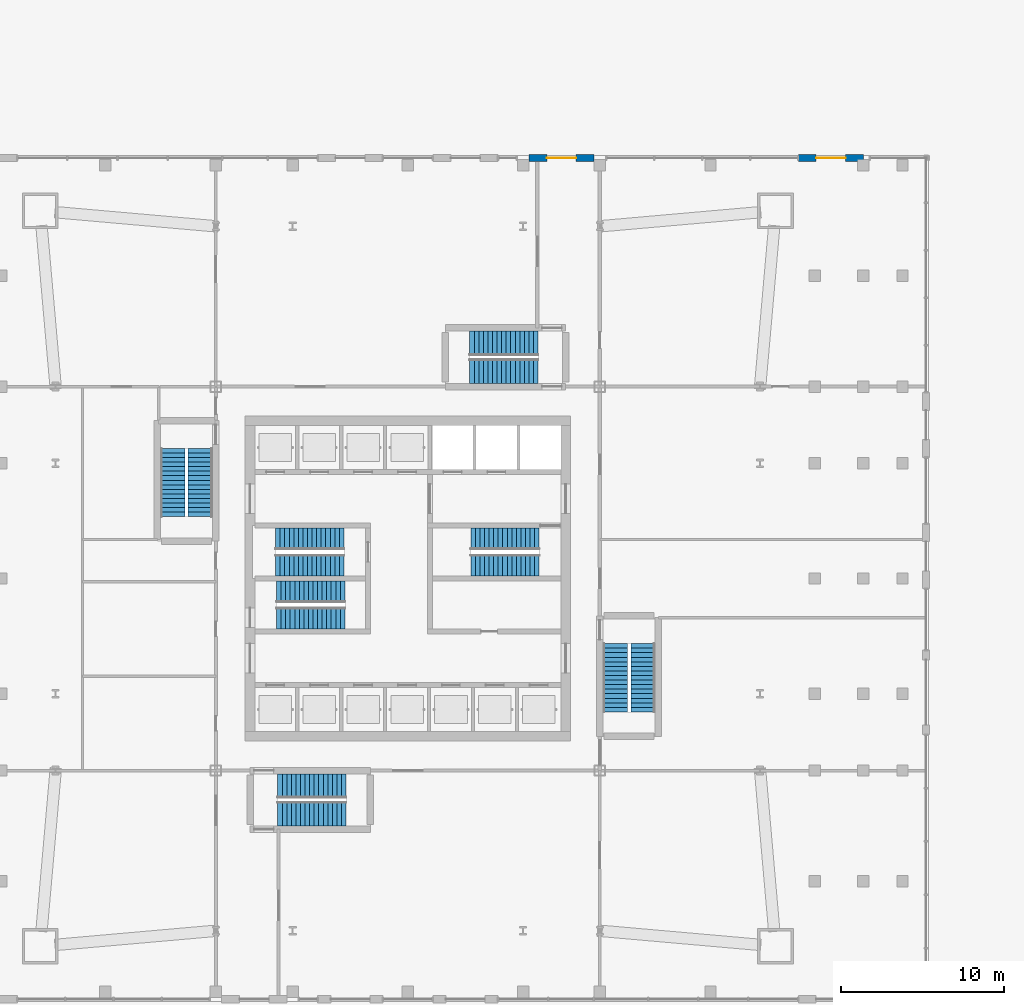
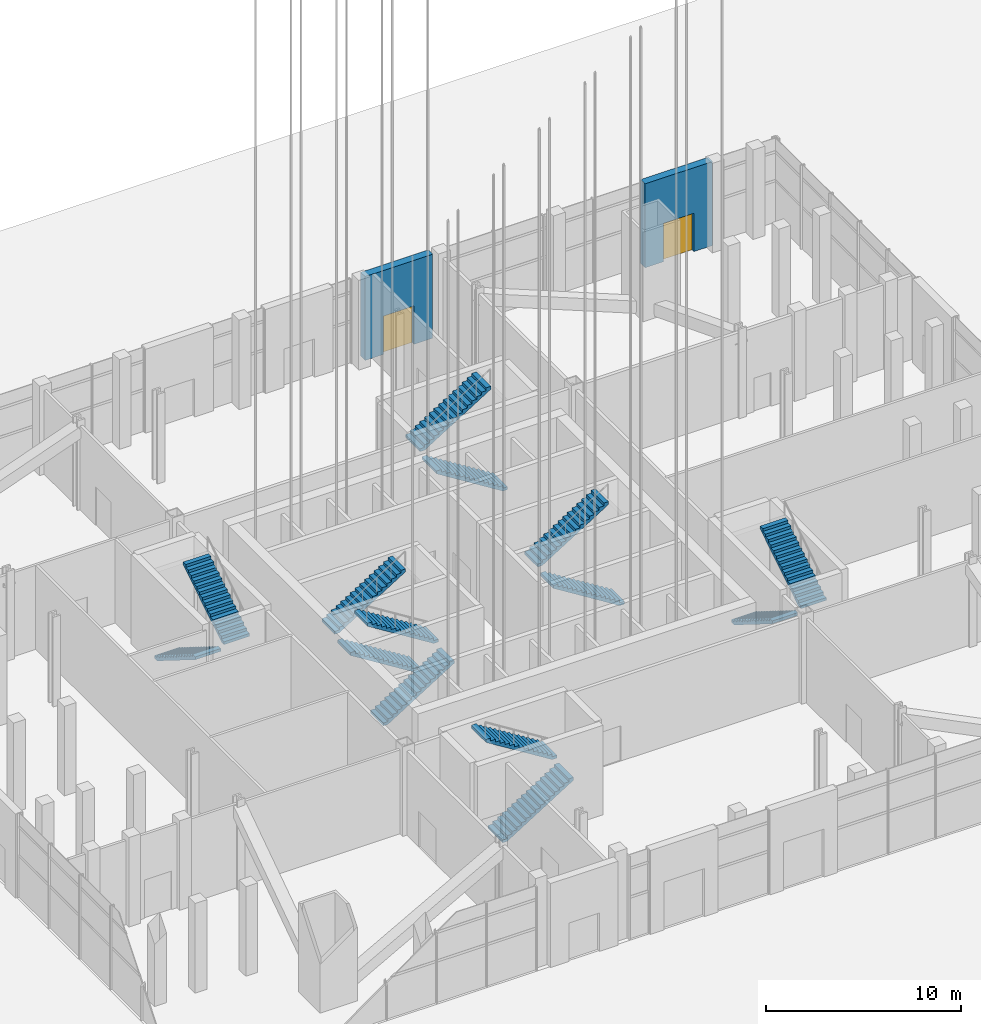
# One storey, part 15 of 27: 14 stair flights, 2 doors, 2 walls, 2 openings, 7 elements without a shape of their own.
"""IFC4 building model written with IfcOpenShell, lengths in metres."""

import ifcopenshell
import ifcopenshell.guid

model = None  # the IFC model being written
_history = None  # IfcOwnerHistory: only IFC2X3 demands one
_inside = {}  # id of a spatial element -> (the spatial element, [elements in it])
_under = {}  # id of a project, library or spatial element -> (it, [spatial elements below it])
_declared = {}  # id of a project -> (the project, [libraries it declares])
_typed = {}  # id of a type object -> (the type object, [elements of that type])
_made_of = {}  # id of a material, layer set ... -> (it, [elements and type objects made of it])


def new_model(schema):
    """Start an empty IFC model of exactly this schema.

    Asked for "IFC4X3", IfcOpenShell would pick the latest addendum, in which some entities
    have other attributes; the version numbers below select the first issue.
    IFC2X3 requires an IfcOwnerHistory on every rooted entity: one is made here for all.
    """
    global model, _history
    if schema == "IFC4X3":
        model = ifcopenshell.file(schema_version=(4, 3, 0, 0))
    else:
        model = ifcopenshell.file(schema=schema)
    _inside.clear()
    _under.clear()
    _declared.clear()
    _typed.clear()
    _made_of.clear()
    _history = None
    if model.schema == "IFC2X3":
        org = make("IfcOrganization", Name="unknown")
        user = make(
            "IfcPersonAndOrganization",
            ThePerson=make("IfcPerson", FamilyName="unknown"),
            TheOrganization=org,
        )
        app = make(
            "IfcApplication",
            ApplicationDeveloper=org,
            Version="unknown",
            ApplicationFullName="unknown",
            ApplicationIdentifier="unknown",
        )
        _history = make(
            "IfcOwnerHistory",
            OwningUser=user,
            OwningApplication=app,
            ChangeAction="ADDED",
            CreationDate=0,
        )
    return model


def make(cls, **values):
    """One entity of the class cls with the attributes given. An attribute that is None is left unset."""
    return model.create_entity(
        cls, **{name: value for name, value in values.items() if value is not None}
    )


def rooted(cls, **values):
    """An entity with a GlobalId (a new one), such as an element, a storey or a relation."""
    return make(cls, GlobalId=ifcopenshell.guid.new(), OwnerHistory=_history, **values)


def si_unit(unit_type, name, prefix=None):
    """IfcSIUnit, for example si_unit("LENGTHUNIT", "METRE", prefix="MILLI")."""
    return make("IfcSIUnit", UnitType=unit_type, Prefix=prefix, Name=name)


def assignment(units):
    """IfcUnitAssignment: the units of a project."""
    return None if units is None else make("IfcUnitAssignment", Units=units)


def point(xyz):
    """IfcCartesianPoint."""
    return None if xyz is None else make("IfcCartesianPoint", Coordinates=xyz)


def direction(xyz):
    """IfcDirection."""
    return None if xyz is None else make("IfcDirection", DirectionRatios=xyz)


def frame(location, z_axis=None, x_axis=None):
    """IfcAxis2Placement3D, a coordinate frame: its origin and axes. An axis left out is left unset."""
    return make(
        "IfcAxis2Placement3D",
        Location=point(location),
        Axis=direction(z_axis),
        RefDirection=direction(x_axis),
    )


def frame_2d(location, x_axis=None):
    """IfcAxis2Placement2D, a coordinate frame in the plane: its origin and x axis."""
    return make(
        "IfcAxis2Placement2D", Location=point(location), RefDirection=direction(x_axis)
    )


def origin():
    """The frame at (0, 0, 0) with its axes left unset."""
    return frame((0.0, 0.0, 0.0))


def place(relative_to, where):
    """IfcLocalPlacement: puts the frame where relative to a parent placement (None: the world)."""
    return make(
        "IfcLocalPlacement", PlacementRelTo=relative_to, RelativePlacement=where
    )


def context(
    kind, dimensions, precision=None, world=None, true_north=None, identifier=None
):
    """IfcGeometricRepresentationContext, for example the 3D "Model" context."""
    return make(
        "IfcGeometricRepresentationContext",
        ContextIdentifier=identifier,
        ContextType=kind,
        CoordinateSpaceDimension=dimensions,
        Precision=precision,
        WorldCoordinateSystem=world,
        TrueNorth=true_north,
    )


def subcontext(parent, identifier, kind, view, scale=None):
    """IfcGeometricRepresentationSubContext, for example "Body" below "Model"."""
    return make(
        "IfcGeometricRepresentationSubContext",
        ContextIdentifier=identifier,
        ContextType=kind,
        ParentContext=parent,
        TargetScale=scale,
        TargetView=view,
    )


def project(units=None, contexts=None):
    """IfcProject with its units and contexts."""
    return rooted(
        "IfcProject",
        Name="project",
        RepresentationContexts=contexts,
        UnitsInContext=assignment(units),
    )


def spatial(cls, under=None, at=None, **own):
    """A site, building, storey or space (cls), placed at a placement, below another one or the project."""
    s = rooted(cls, ObjectPlacement=at, **own)
    if under is not None:
        _under.setdefault(under.id(), (under, []))[1].append(s)
    return s


def polyline(points):
    """IfcPolyline through the points."""
    return make("IfcPolyline", Points=[point(p) for p in points])


def profile(cls, at=None, kind="AREA", **sizes):
    """A parametric profile (cls). Its sizes go by their IFC names, for example OverallWidth=200.0."""
    return make(cls, ProfileType=kind, Position=at, **sizes)


def rectangle(**sizes):
    """IfcRectangleProfileDef."""
    return profile("IfcRectangleProfileDef", **sizes)


def outline(outer, holes=None, kind="AREA"):
    """IfcArbitraryClosedProfileDef: a profile drawn as a closed curve; with holes, ...WithVoids."""
    if holes is None:
        return make("IfcArbitraryClosedProfileDef", ProfileType=kind, OuterCurve=outer)
    return make(
        "IfcArbitraryProfileDefWithVoids",
        ProfileType=kind,
        OuterCurve=outer,
        InnerCurves=holes,
    )


def extrude(swept, where, along, depth):
    """IfcExtrudedAreaSolid: the profile swept, set in the frame where, extruded along a direction by depth."""
    return make(
        "IfcExtrudedAreaSolid",
        SweptArea=swept,
        Position=where,
        ExtrudedDirection=direction(along),
        Depth=depth,
    )


def shape(context_of_items, identifier, shape_type, items):
    """IfcShapeRepresentation: the items that make up one representation, for example the "Body"."""
    return make(
        "IfcShapeRepresentation",
        ContextOfItems=context_of_items,
        RepresentationIdentifier=identifier,
        RepresentationType=shape_type,
        Items=items,
    )


def material(Name=None, Category=None):
    """IfcMaterial."""
    return make("IfcMaterial", Name=Name, Category=Category)


def layer(
    of_material, thickness, ventilated=None, Name=None, Category=None, Priority=None
):
    """IfcMaterialLayer: one layer of a wall or slab, of a material (None: an air gap)."""
    return make(
        "IfcMaterialLayer",
        Material=of_material,
        LayerThickness=thickness,
        IsVentilated=ventilated,
        Name=Name,
        Category=Category,
        Priority=Priority,
    )


def layer_set(layers, Name=None):
    """IfcMaterialLayerSet."""
    return make("IfcMaterialLayerSet", MaterialLayers=layers, LayerSetName=Name)


def made_of(thing, what):
    """Note that an element or type object is made of a material, layer set ...; save() writes the relation."""
    if what is not None:
        _made_of.setdefault(what.id(), (what, []))[1].append(thing)
    return thing


def type_object(cls, material=None, **own):
    """A type object (cls), such as IfcWallType, which elements share."""
    return made_of(rooted(cls, **own), material)


def element(
    cls,
    number,
    at=None,
    inside=None,
    cuts=None,
    type_object=None,
    material=None,
    context=None,
    identifier="Body",
    shape_type=None,
    held_by="IfcProductDefinitionShape",
    body=None,
    shapes=None,
    **own,
):
    """One element of the class cls, such as IfcWall. Its Tag is "e" and its number.

    at: its placement. inside: the storey or other place that contains it. cuts: it is an
    opening in that element (IfcRelVoidsElement). A single representation is given by context,
    identifier, shape_type and body (its items); several are given by shapes. held_by: the class
    of the entity that holds the representations. save() writes the other relations.
    """
    e = rooted(cls, Tag="e%d" % number, ObjectPlacement=at, **own)
    if body is not None:
        shapes = [shape(context, identifier, shape_type, body)]
    if shapes is not None:
        e.Representation = make(held_by, Representations=shapes)
    if inside is not None:
        _inside.setdefault(inside.id(), (inside, []))[1].append(e)
    if cuts is not None:
        rooted(
            "IfcRelVoidsElement", RelatingBuildingElement=cuts, RelatedOpeningElement=e
        )
    if type_object is not None:
        _typed.setdefault(type_object.id(), (type_object, []))[1].append(e)
    return made_of(e, material)


def fill(opening, filler):
    """IfcRelFillsElement: the door or window that sits in an opening."""
    return rooted(
        "IfcRelFillsElement",
        RelatingOpeningElement=opening,
        RelatedBuildingElement=filler,
    )


def aggregate(whole, parts):
    """IfcRelAggregates: a whole, such as a stair, and the parts it consists of."""
    return rooted("IfcRelAggregates", RelatingObject=whole, RelatedObjects=parts)


def save(model, path):
    """Write the relations noted so far, then the file.

    IfcRelAggregates (storeys below a building ...), IfcRelContainedInSpatialStructure (elements
    in a storey), IfcRelDefinesByType, IfcRelAssociatesMaterial and IfcRelDeclares: one each for
    every whole, place, type object, material and project.
    """
    for whole, parts in _under.values():
        aggregate(whole, parts)
    for where, things in _inside.values():
        rooted(
            "IfcRelContainedInSpatialStructure",
            RelatedElements=things,
            RelatingStructure=where,
        )
    for kind, things in _typed.values():
        rooted("IfcRelDefinesByType", RelatedObjects=things, RelatingType=kind)
    for what, things in _made_of.values():
        rooted("IfcRelAssociatesMaterial", RelatedObjects=things, RelatingMaterial=what)
    for by, libraries in _declared.values():
        rooted("IfcRelDeclares", RelatingContext=by, RelatedDefinitions=libraries)
    model.write(path)


model = new_model("IFC4")

# Units and contexts
model_context = context("Model", 3, precision=1e-05, world=origin(), true_north=direction((0.0, 1.0)))
body_context = subcontext(model_context, "Body", "Model", "MODEL_VIEW")
ifc_project = project(units=[si_unit("LENGTHUNIT", "METRE"), si_unit("AREAUNIT", "SQUARE_METRE"), si_unit("VOLUMEUNIT", "CUBIC_METRE"), si_unit("PLANEANGLEUNIT", "RADIAN"), si_unit("MASSUNIT", "GRAM", prefix="KILO")], contexts=[model_context])

# Site, building, storey
site_placement = place(None, origin())
site = spatial("IfcSite", under=ifc_project, at=site_placement, CompositionType="ELEMENT")
building_placement = place(site_placement, origin())
building = spatial("IfcBuilding", under=site, at=building_placement, Name="Turquesa Mirador Hotel Tower", CompositionType="ELEMENT")
storey_placement = place(building_placement, origin())
storey = spatial("IfcBuildingStorey", under=building, at=storey_placement, Name="L00", CompositionType="ELEMENT", Elevation=0.0)

# Wall, opening, door
ifc_material_1 = material(Name="Limestone cladding on concrete block", Category="masonry")
ifc_layer = layer(ifc_material_1, 0.449951171875)
ifc_layer_set = layer_set([ifc_layer], Name="PORTAL WALL 450 STONE")
wall_type = type_object("IfcWallType", Name="PORTAL WALL 450 STONE", PredefinedType="SOLIDWALL", material=ifc_layer_set)
wall_1_placement = place(storey_placement, frame((83.0, 70.85009765625, 0.0), z_axis=(0.0, 0.0, 1.0), x_axis=(-1.0, 0.0, 0.0)))
wall_1 = element("IfcWall", 1, at=wall_1_placement, inside=storey, type_object=wall_type, Name="Entrance portal L00", PredefinedType="SOLIDWALL", context=body_context, shape_type="SweptSolid", body=[
    extrude(rectangle(XDim=4.0, YDim=0.449951171875, at=frame_2d((2.0, 0.0))), origin(), (0.0, 0.0, 1.0), 5.25),
])
opening_1_placement = place(wall_1_placement, frame((1.10009765625, 0.0, 0.0)))
opening_1 = element("IfcOpeningElement", 2, at=opening_1_placement, cuts=wall_1, Name="Opening D13", PredefinedType="OPENING", context=body_context, shape_type="SweptSolid", body=[
    extrude(rectangle(XDim=1.800048828125, YDim=2.39990234375, at=frame_2d((0.89990234375, 1.199951171875))), frame((0.0, 0.23486328125, 0.0), z_axis=(0.0, -1.0, 0.0), x_axis=(1.0, 0.0, 0.0)), (0.0, 0.0, 1.0), 0.469970703125),
])
ifc_material_2 = material(Name="Steel external door pair", Category="steel")
door_type = type_object("IfcDoorType", Name="EXIT DOOR 1800X2400 PAIR", OperationType="DOUBLE_DOOR_SINGLE_SWING", PredefinedType="DOOR", material=ifc_material_2)
door_1_placement = place(opening_1_placement, origin())
door_1 = element("IfcDoor", 3, at=door_1_placement, inside=storey, type_object=door_type, Name="External door L00 N", OperationType="DOUBLE_DOOR_SINGLE_SWING", OverallHeight=2.39990234375, OverallWidth=1.800048828125, PredefinedType="DOOR", context=body_context, shape_type="SweptSolid", body=[
    extrude(rectangle(XDim=1.800048828125, YDim=2.39990234375, at=frame_2d((0.89990234375, 1.199951171875))), frame((0.0, 0.02490234375, 0.0), z_axis=(0.0, -1.0, 0.0), x_axis=(1.0, 0.0, 0.0)), (0.0, 0.0, 1.0), 0.050048828125),
])
fill(opening_1, door_1)

wall_2_placement = place(storey_placement, frame((62.43994140625, 70.85009765625, 0.0), z_axis=(0.0, 0.0, 1.0), x_axis=(1.0, 0.0, 0.0)))
wall_2 = element("IfcWall", 4, at=wall_2_placement, inside=storey, type_object=wall_type, Name="Entrance portal L00", PredefinedType="SOLIDWALL", context=body_context, shape_type="SweptSolid", body=[
    extrude(rectangle(XDim=4.0, YDim=0.449951171875, at=frame_2d((2.0, 0.0))), origin(), (0.0, 0.0, 1.0), 5.25),
])
opening_2_placement = place(wall_2_placement, frame((1.10009765625, 0.0, 0.0)))
opening_2 = element("IfcOpeningElement", 5, at=opening_2_placement, cuts=wall_2, Name="Opening D13", PredefinedType="OPENING", context=body_context, shape_type="SweptSolid", body=[
    extrude(rectangle(XDim=1.800048828125, YDim=2.39990234375, at=frame_2d((0.89990234375, 1.199951171875))), frame((0.0, 0.23486328125, 0.0), z_axis=(0.0, -1.0, 0.0), x_axis=(1.0, 0.0, 0.0)), (0.0, 0.0, 1.0), 0.469970703125),
])
door_2_placement = place(opening_2_placement, origin())
door_2 = element("IfcDoor", 6, at=door_2_placement, inside=storey, type_object=door_type, Name="External door L00 N", OperationType="DOUBLE_DOOR_SINGLE_SWING", OverallHeight=2.39990234375, OverallWidth=1.800048828125, PredefinedType="DOOR", context=body_context, shape_type="SweptSolid", body=[
    extrude(rectangle(XDim=1.800048828125, YDim=2.39990234375, at=frame_2d((0.89990234375, 1.199951171875))), frame((0.0, 0.02490234375, 0.0), z_axis=(0.0, -1.0, 0.0), x_axis=(1.0, 0.0, 0.0)), (0.0, 0.0, 1.0), 0.050048828125),
])
fill(opening_2, door_2)

# Stair, stair flights
ifc_material_3 = material(Name="Concrete C35/45", Category="concrete")
stair_type_1 = type_object("IfcStairType", Name="ESCAPE STAIR CORE", PredefinedType="HALF_TURN_STAIR", material=ifc_material_3)
stair_1_placement = place(storey_placement, origin())
stair_1 = element("IfcStair", 7, at=stair_1_placement, inside=storey, type_object=stair_type_1, Name="Stair ST1 L00 to L01", PredefinedType="HALF_TURN_STAIR")
ifc_material_4 = material(Name="Concrete C35/45 precast flight", Category="concrete")
stair_flight_type_1 = type_object("IfcStairFlightType", Name="STAIR FLIGHT 1330", PredefinedType="STRAIGHT", material=ifc_material_4)
stair_flight_1_placement = place(storey_placement, frame((51.070068359375, 45.81494140625, 0.0), z_axis=(0.0, 0.0, 1.0), x_axis=(-1.0, 0.0, 0.0)))
stair_flight_1 = element("IfcStairFlight", 8, at=stair_flight_1_placement, type_object=stair_flight_type_1, Name="ST1 flight 1", NumberOfRisers=16, NumberOfTreads=15, PredefinedType="STRAIGHT", RiserHeight=0.175, TreadLength=0.28, context=body_context, shape_type="SweptSolid", body=[
    extrude(outline(polyline([(0.0, 0.0), (0.0, 0.175048828125), (0.280029296875, 0.175048828125), (0.280029296875, 0.35009765625), (0.56005859375, 0.35009765625), (0.56005859375, 0.52490234375), (0.840087890625, 0.52490234375), (0.840087890625, 0.699951171875), (1.1201171875, 0.699951171875), (1.1201171875, 0.875), (1.39990234375, 0.875), (1.39990234375, 1.050048828125), (1.679931640625, 1.050048828125), (1.679931640625, 1.22509765625), (1.9599609375, 1.22509765625), (1.9599609375, 1.39990234375), (2.239990234375, 1.39990234375), (2.239990234375, 1.574951171875), (2.52001953125, 1.574951171875), (2.52001953125, 1.75), (2.800048828125, 1.75), (2.800048828125, 1.925048828125), (3.080078125, 1.925048828125), (3.080078125, 2.10009765625), (3.360107421875, 2.10009765625), (3.360107421875, 2.27490234375), (3.639892578125, 2.27490234375), (3.639892578125, 2.449951171875), (3.919921875, 2.449951171875), (3.919921875, 2.625), (4.199951171875, 2.625), (4.199951171875, 2.800048828125), (4.199951171875, 2.4482421875), (0.28271484375, 0.0), (0.0, 0.0)])), frame((0.0, 0.6650390625, 0.0), z_axis=(0.0, -1.0, 0.0), x_axis=(1.0, 0.0, 0.0)), (0.0, 0.0, 1.0), 1.330078125),
])
stair_flight_2_placement = place(storey_placement, frame((46.8701171875, 47.43505859375, 2.800048828125), z_axis=(0.0, 0.0, 1.0), x_axis=(1.0, 0.0, 0.0)))
stair_flight_2 = element("IfcStairFlight", 9, at=stair_flight_2_placement, type_object=stair_flight_type_1, Name="ST1 flight 2", NumberOfRisers=16, NumberOfTreads=15, PredefinedType="STRAIGHT", RiserHeight=0.175, TreadLength=0.28, context=body_context, shape_type="SweptSolid", body=[
    extrude(outline(polyline([(0.0, 0.0), (0.0, 0.175048828125), (0.280029296875, 0.175048828125), (0.280029296875, 0.35009765625), (0.56005859375, 0.35009765625), (0.56005859375, 0.52490234375), (0.840087890625, 0.52490234375), (0.840087890625, 0.699951171875), (1.1201171875, 0.699951171875), (1.1201171875, 0.875), (1.39990234375, 0.875), (1.39990234375, 1.050048828125), (1.679931640625, 1.050048828125), (1.679931640625, 1.22509765625), (1.9599609375, 1.22509765625), (1.9599609375, 1.39990234375), (2.239990234375, 1.39990234375), (2.239990234375, 1.574951171875), (2.52001953125, 1.574951171875), (2.52001953125, 1.75), (2.800048828125, 1.75), (2.800048828125, 1.925048828125), (3.080078125, 1.925048828125), (3.080078125, 2.10009765625), (3.360107421875, 2.10009765625), (3.360107421875, 2.27490234375), (3.639892578125, 2.27490234375), (3.639892578125, 2.449951171875), (3.919921875, 2.449951171875), (3.919921875, 2.625), (4.199951171875, 2.625), (4.199951171875, 2.800048828125), (4.199951171875, 2.4482421875), (0.28271484375, 0.0), (0.0, 0.0)])), frame((0.0, 0.6650390625, 0.0), z_axis=(0.0, -1.0, 0.0), x_axis=(1.0, 0.0, 0.0)), (0.0, 0.0, 1.0), 1.330078125),
])
aggregate(stair_1, [stair_flight_1, stair_flight_2])

stair_2_placement = place(storey_placement, origin())
stair_2 = element("IfcStair", 10, at=stair_2_placement, inside=storey, type_object=stair_type_1, Name="Stair ST2 L00 to L01", PredefinedType="HALF_TURN_STAIR")
stair_flight_3_placement = place(storey_placement, frame((46.929931640625, 42.56494140625, 0.0), z_axis=(0.0, 0.0, 1.0), x_axis=(1.0, 0.0, 0.0)))
stair_flight_3 = element("IfcStairFlight", 11, at=stair_flight_3_placement, type_object=stair_flight_type_1, Name="ST2 flight 1", NumberOfRisers=16, NumberOfTreads=15, PredefinedType="STRAIGHT", RiserHeight=0.175, TreadLength=0.28, context=body_context, shape_type="SweptSolid", body=[
    extrude(outline(polyline([(0.0, 0.0), (0.0, 0.175048828125), (0.280029296875, 0.175048828125), (0.280029296875, 0.35009765625), (0.56005859375, 0.35009765625), (0.56005859375, 0.52490234375), (0.840087890625, 0.52490234375), (0.840087890625, 0.699951171875), (1.1201171875, 0.699951171875), (1.1201171875, 0.875), (1.39990234375, 0.875), (1.39990234375, 1.050048828125), (1.679931640625, 1.050048828125), (1.679931640625, 1.22509765625), (1.9599609375, 1.22509765625), (1.9599609375, 1.39990234375), (2.239990234375, 1.39990234375), (2.239990234375, 1.574951171875), (2.52001953125, 1.574951171875), (2.52001953125, 1.75), (2.800048828125, 1.75), (2.800048828125, 1.925048828125), (3.080078125, 1.925048828125), (3.080078125, 2.10009765625), (3.360107421875, 2.10009765625), (3.360107421875, 2.27490234375), (3.639892578125, 2.27490234375), (3.639892578125, 2.449951171875), (3.919921875, 2.449951171875), (3.919921875, 2.625), (4.199951171875, 2.625), (4.199951171875, 2.800048828125), (4.199951171875, 2.4482421875), (0.28271484375, 0.0), (0.0, 0.0)])), frame((0.0, 0.6650390625, 0.0), z_axis=(0.0, -1.0, 0.0), x_axis=(1.0, 0.0, 0.0)), (0.0, 0.0, 1.0), 1.330078125),
])
stair_flight_4_placement = place(storey_placement, frame((51.1298828125, 44.18505859375, 2.800048828125), z_axis=(0.0, 0.0, 1.0), x_axis=(-1.0, 0.0, 0.0)))
stair_flight_4 = element("IfcStairFlight", 12, at=stair_flight_4_placement, type_object=stair_flight_type_1, Name="ST2 flight 2", NumberOfRisers=16, NumberOfTreads=15, PredefinedType="STRAIGHT", RiserHeight=0.175, TreadLength=0.28, context=body_context, shape_type="SweptSolid", body=[
    extrude(outline(polyline([(0.0, 0.0), (0.0, 0.175048828125), (0.280029296875, 0.175048828125), (0.280029296875, 0.35009765625), (0.56005859375, 0.35009765625), (0.56005859375, 0.52490234375), (0.840087890625, 0.52490234375), (0.840087890625, 0.699951171875), (1.1201171875, 0.699951171875), (1.1201171875, 0.875), (1.39990234375, 0.875), (1.39990234375, 1.050048828125), (1.679931640625, 1.050048828125), (1.679931640625, 1.22509765625), (1.9599609375, 1.22509765625), (1.9599609375, 1.39990234375), (2.239990234375, 1.39990234375), (2.239990234375, 1.574951171875), (2.52001953125, 1.574951171875), (2.52001953125, 1.75), (2.800048828125, 1.75), (2.800048828125, 1.925048828125), (3.080078125, 1.925048828125), (3.080078125, 2.10009765625), (3.360107421875, 2.10009765625), (3.360107421875, 2.27490234375), (3.639892578125, 2.27490234375), (3.639892578125, 2.449951171875), (3.919921875, 2.449951171875), (3.919921875, 2.625), (4.199951171875, 2.625), (4.199951171875, 2.800048828125), (4.199951171875, 2.4482421875), (0.28271484375, 0.0), (0.0, 0.0)])), frame((0.0, 0.6650390625, 0.0), z_axis=(0.0, -1.0, 0.0), x_axis=(1.0, 0.0, 0.0)), (0.0, 0.0, 1.0), 1.330078125),
])
aggregate(stair_2, [stair_flight_3, stair_flight_4])

stair_3_placement = place(storey_placement, origin())
stair_3 = element("IfcStair", 13, at=stair_3_placement, inside=storey, type_object=stair_type_1, Name="Stair ST3 L00 to L01", PredefinedType="HALF_TURN_STAIR")
stair_flight_5_placement = place(storey_placement, frame((63.070068359375, 45.81494140625, 0.0), z_axis=(0.0, 0.0, 1.0), x_axis=(-1.0, 0.0, 0.0)))
stair_flight_5 = element("IfcStairFlight", 14, at=stair_flight_5_placement, type_object=stair_flight_type_1, Name="ST3 flight 1", NumberOfRisers=16, NumberOfTreads=15, PredefinedType="STRAIGHT", RiserHeight=0.175, TreadLength=0.28, context=body_context, shape_type="SweptSolid", body=[
    extrude(outline(polyline([(0.0, 0.0), (0.0, 0.175048828125), (0.280029296875, 0.175048828125), (0.280029296875, 0.35009765625), (0.56005859375, 0.35009765625), (0.56005859375, 0.52490234375), (0.840087890625, 0.52490234375), (0.840087890625, 0.699951171875), (1.1201171875, 0.699951171875), (1.1201171875, 0.875), (1.39990234375, 0.875), (1.39990234375, 1.050048828125), (1.679931640625, 1.050048828125), (1.679931640625, 1.22509765625), (1.9599609375, 1.22509765625), (1.9599609375, 1.39990234375), (2.239990234375, 1.39990234375), (2.239990234375, 1.574951171875), (2.52001953125, 1.574951171875), (2.52001953125, 1.75), (2.800048828125, 1.75), (2.800048828125, 1.925048828125), (3.080078125, 1.925048828125), (3.080078125, 2.10009765625), (3.360107421875, 2.10009765625), (3.360107421875, 2.27490234375), (3.639892578125, 2.27490234375), (3.639892578125, 2.449951171875), (3.919921875, 2.449951171875), (3.919921875, 2.625), (4.199951171875, 2.625), (4.199951171875, 2.800048828125), (4.199951171875, 2.4482421875), (0.28271484375, 0.0), (0.0, 0.0)])), frame((0.0, 0.6650390625, 0.0), z_axis=(0.0, -1.0, 0.0), x_axis=(1.0, 0.0, 0.0)), (0.0, 0.0, 1.0), 1.330078125),
])
stair_flight_6_placement = place(storey_placement, frame((58.8701171875, 47.43505859375, 2.800048828125), z_axis=(0.0, 0.0, 1.0), x_axis=(1.0, 0.0, 0.0)))
stair_flight_6 = element("IfcStairFlight", 15, at=stair_flight_6_placement, type_object=stair_flight_type_1, Name="ST3 flight 2", NumberOfRisers=16, NumberOfTreads=15, PredefinedType="STRAIGHT", RiserHeight=0.175, TreadLength=0.28, context=body_context, shape_type="SweptSolid", body=[
    extrude(outline(polyline([(0.0, 0.0), (0.0, 0.175048828125), (0.280029296875, 0.175048828125), (0.280029296875, 0.35009765625), (0.56005859375, 0.35009765625), (0.56005859375, 0.52490234375), (0.840087890625, 0.52490234375), (0.840087890625, 0.699951171875), (1.1201171875, 0.699951171875), (1.1201171875, 0.875), (1.39990234375, 0.875), (1.39990234375, 1.050048828125), (1.679931640625, 1.050048828125), (1.679931640625, 1.22509765625), (1.9599609375, 1.22509765625), (1.9599609375, 1.39990234375), (2.239990234375, 1.39990234375), (2.239990234375, 1.574951171875), (2.52001953125, 1.574951171875), (2.52001953125, 1.75), (2.800048828125, 1.75), (2.800048828125, 1.925048828125), (3.080078125, 1.925048828125), (3.080078125, 2.10009765625), (3.360107421875, 2.10009765625), (3.360107421875, 2.27490234375), (3.639892578125, 2.27490234375), (3.639892578125, 2.449951171875), (3.919921875, 2.449951171875), (3.919921875, 2.625), (4.199951171875, 2.625), (4.199951171875, 2.800048828125), (4.199951171875, 2.4482421875), (0.28271484375, 0.0), (0.0, 0.0)])), frame((0.0, 0.6650390625, 0.0), z_axis=(0.0, -1.0, 0.0), x_axis=(1.0, 0.0, 0.0)), (0.0, 0.0, 1.0), 1.330078125),
])
aggregate(stair_3, [stair_flight_5, stair_flight_6])

ifc_material_5 = material(Name="Concrete C35/45", Category="concrete")
stair_type_2 = type_object("IfcStairType", Name="ESCAPE STAIR PODIUM", PredefinedType="HALF_TURN_STAIR", material=ifc_material_5)
stair_4_placement = place(storey_placement, origin())
stair_4 = element("IfcStair", 16, at=stair_4_placement, inside=storey, type_object=stair_type_2, Name="Stair PS1 L00 to L01", PredefinedType="HALF_TURN_STAIR")
ifc_material_6 = material(Name="Concrete C35/45 precast flight", Category="concrete")
stair_flight_type_2 = type_object("IfcStairFlightType", Name="STAIR FLIGHT 1500", PredefinedType="STRAIGHT", material=ifc_material_6)
stair_flight_7_placement = place(storey_placement, frame((63.0, 57.75, 0.0), z_axis=(0.0, 0.0, 1.0), x_axis=(-1.0, 0.0, 0.0)))
stair_flight_7 = element("IfcStairFlight", 17, at=stair_flight_7_placement, type_object=stair_flight_type_2, Name="PS1 flight 1", NumberOfRisers=16, NumberOfTreads=15, PredefinedType="STRAIGHT", RiserHeight=0.175, TreadLength=0.28, context=body_context, shape_type="SweptSolid", body=[
    extrude(outline(polyline([(0.0, 0.0), (0.0, 0.175048828125), (0.280029296875, 0.175048828125), (0.280029296875, 0.35009765625), (0.56005859375, 0.35009765625), (0.56005859375, 0.52490234375), (0.840087890625, 0.52490234375), (0.840087890625, 0.699951171875), (1.1201171875, 0.699951171875), (1.1201171875, 0.875), (1.39990234375, 0.875), (1.39990234375, 1.050048828125), (1.679931640625, 1.050048828125), (1.679931640625, 1.22509765625), (1.9599609375, 1.22509765625), (1.9599609375, 1.39990234375), (2.239990234375, 1.39990234375), (2.239990234375, 1.574951171875), (2.52001953125, 1.574951171875), (2.52001953125, 1.75), (2.800048828125, 1.75), (2.800048828125, 1.925048828125), (3.080078125, 1.925048828125), (3.080078125, 2.10009765625), (3.360107421875, 2.10009765625), (3.360107421875, 2.27490234375), (3.639892578125, 2.27490234375), (3.639892578125, 2.449951171875), (3.919921875, 2.449951171875), (3.919921875, 2.625), (4.199951171875, 2.625), (4.199951171875, 2.800048828125), (4.199951171875, 2.4482421875), (0.28271484375, 0.0), (0.0, 0.0)])), frame((0.0, 0.75, 0.0), z_axis=(0.0, -1.0, 0.0), x_axis=(1.0, 0.0, 0.0)), (0.0, 0.0, 1.0), 1.5),
])
stair_flight_8_placement = place(storey_placement, frame((58.800048828125, 59.449951171875, 2.800048828125), z_axis=(0.0, 0.0, 1.0), x_axis=(1.0, 0.0, 0.0)))
stair_flight_8 = element("IfcStairFlight", 18, at=stair_flight_8_placement, type_object=stair_flight_type_2, Name="PS1 flight 2", NumberOfRisers=16, NumberOfTreads=15, PredefinedType="STRAIGHT", RiserHeight=0.175, TreadLength=0.28, context=body_context, shape_type="SweptSolid", body=[
    extrude(outline(polyline([(0.0, 0.0), (0.0, 0.175048828125), (0.280029296875, 0.175048828125), (0.280029296875, 0.35009765625), (0.56005859375, 0.35009765625), (0.56005859375, 0.52490234375), (0.840087890625, 0.52490234375), (0.840087890625, 0.699951171875), (1.1201171875, 0.699951171875), (1.1201171875, 0.875), (1.39990234375, 0.875), (1.39990234375, 1.050048828125), (1.679931640625, 1.050048828125), (1.679931640625, 1.22509765625), (1.9599609375, 1.22509765625), (1.9599609375, 1.39990234375), (2.239990234375, 1.39990234375), (2.239990234375, 1.574951171875), (2.52001953125, 1.574951171875), (2.52001953125, 1.75), (2.800048828125, 1.75), (2.800048828125, 1.925048828125), (3.080078125, 1.925048828125), (3.080078125, 2.10009765625), (3.360107421875, 2.10009765625), (3.360107421875, 2.27490234375), (3.639892578125, 2.27490234375), (3.639892578125, 2.449951171875), (3.919921875, 2.449951171875), (3.919921875, 2.625), (4.199951171875, 2.625), (4.199951171875, 2.800048828125), (4.199951171875, 2.4482421875), (0.28271484375, 0.0), (0.0, 0.0)])), frame((0.0, 0.75, 0.0), z_axis=(0.0, -1.0, 0.0), x_axis=(1.0, 0.0, 0.0)), (0.0, 0.0, 1.0), 1.5),
])
aggregate(stair_4, [stair_flight_7, stair_flight_8])

stair_5_placement = place(storey_placement, origin())
stair_5 = element("IfcStair", 19, at=stair_5_placement, inside=storey, type_object=stair_type_2, Name="Stair PS2 L00 to L01", PredefinedType="HALF_TURN_STAIR")
stair_flight_9_placement = place(storey_placement, frame((47.0, 30.550048828125, 0.0), z_axis=(0.0, 0.0, 1.0), x_axis=(1.0, 0.0, 0.0)))
stair_flight_9 = element("IfcStairFlight", 20, at=stair_flight_9_placement, type_object=stair_flight_type_2, Name="PS2 flight 1", NumberOfRisers=16, NumberOfTreads=15, PredefinedType="STRAIGHT", RiserHeight=0.175, TreadLength=0.28, context=body_context, shape_type="SweptSolid", body=[
    extrude(outline(polyline([(0.0, 0.0), (0.0, 0.175048828125), (0.280029296875, 0.175048828125), (0.280029296875, 0.35009765625), (0.56005859375, 0.35009765625), (0.56005859375, 0.52490234375), (0.840087890625, 0.52490234375), (0.840087890625, 0.699951171875), (1.1201171875, 0.699951171875), (1.1201171875, 0.875), (1.39990234375, 0.875), (1.39990234375, 1.050048828125), (1.679931640625, 1.050048828125), (1.679931640625, 1.22509765625), (1.9599609375, 1.22509765625), (1.9599609375, 1.39990234375), (2.239990234375, 1.39990234375), (2.239990234375, 1.574951171875), (2.52001953125, 1.574951171875), (2.52001953125, 1.75), (2.800048828125, 1.75), (2.800048828125, 1.925048828125), (3.080078125, 1.925048828125), (3.080078125, 2.10009765625), (3.360107421875, 2.10009765625), (3.360107421875, 2.27490234375), (3.639892578125, 2.27490234375), (3.639892578125, 2.449951171875), (3.919921875, 2.449951171875), (3.919921875, 2.625), (4.199951171875, 2.625), (4.199951171875, 2.800048828125), (4.199951171875, 2.4482421875), (0.28271484375, 0.0), (0.0, 0.0)])), frame((0.0, 0.75, 0.0), z_axis=(0.0, -1.0, 0.0), x_axis=(1.0, 0.0, 0.0)), (0.0, 0.0, 1.0), 1.5),
])
stair_flight_10_placement = place(storey_placement, frame((51.199951171875, 32.25, 2.800048828125), z_axis=(0.0, 0.0, 1.0), x_axis=(-1.0, 0.0, 0.0)))
stair_flight_10 = element("IfcStairFlight", 21, at=stair_flight_10_placement, type_object=stair_flight_type_2, Name="PS2 flight 2", NumberOfRisers=16, NumberOfTreads=15, PredefinedType="STRAIGHT", RiserHeight=0.175, TreadLength=0.28, context=body_context, shape_type="SweptSolid", body=[
    extrude(outline(polyline([(0.0, 0.0), (0.0, 0.175048828125), (0.280029296875, 0.175048828125), (0.280029296875, 0.35009765625), (0.56005859375, 0.35009765625), (0.56005859375, 0.52490234375), (0.840087890625, 0.52490234375), (0.840087890625, 0.699951171875), (1.1201171875, 0.699951171875), (1.1201171875, 0.875), (1.39990234375, 0.875), (1.39990234375, 1.050048828125), (1.679931640625, 1.050048828125), (1.679931640625, 1.22509765625), (1.9599609375, 1.22509765625), (1.9599609375, 1.39990234375), (2.239990234375, 1.39990234375), (2.239990234375, 1.574951171875), (2.52001953125, 1.574951171875), (2.52001953125, 1.75), (2.800048828125, 1.75), (2.800048828125, 1.925048828125), (3.080078125, 1.925048828125), (3.080078125, 2.10009765625), (3.360107421875, 2.10009765625), (3.360107421875, 2.27490234375), (3.639892578125, 2.27490234375), (3.639892578125, 2.449951171875), (3.919921875, 2.449951171875), (3.919921875, 2.625), (4.199951171875, 2.625), (4.199951171875, 2.800048828125), (4.199951171875, 2.4482421875), (0.28271484375, 0.0), (0.0, 0.0)])), frame((0.0, 0.75, 0.0), z_axis=(0.0, -1.0, 0.0), x_axis=(1.0, 0.0, 0.0)), (0.0, 0.0, 1.0), 1.5),
])
aggregate(stair_5, [stair_flight_9, stair_flight_10])

stair_6_placement = place(storey_placement, origin())
stair_6 = element("IfcStair", 22, at=stair_6_placement, inside=storey, type_object=stair_type_2, Name="Stair PS3 L00 to L01", PredefinedType="HALF_TURN_STAIR")
stair_flight_11_placement = place(storey_placement, frame((67.75, 41.0, 0.0), z_axis=(0.0, 0.0, 1.0), x_axis=(0.0, -1.0, 0.0)))
stair_flight_11 = element("IfcStairFlight", 23, at=stair_flight_11_placement, type_object=stair_flight_type_2, Name="PS3 flight 1", NumberOfRisers=16, NumberOfTreads=15, PredefinedType="STRAIGHT", RiserHeight=0.175, TreadLength=0.28, context=body_context, shape_type="SweptSolid", body=[
    extrude(outline(polyline([(0.0, 0.0), (0.0, 0.175048828125), (0.280029296875, 0.175048828125), (0.280029296875, 0.35009765625), (0.56005859375, 0.35009765625), (0.56005859375, 0.52490234375), (0.840087890625, 0.52490234375), (0.840087890625, 0.699951171875), (1.1201171875, 0.699951171875), (1.1201171875, 0.875), (1.39990234375, 0.875), (1.39990234375, 1.050048828125), (1.679931640625, 1.050048828125), (1.679931640625, 1.22509765625), (1.9599609375, 1.22509765625), (1.9599609375, 1.39990234375), (2.239990234375, 1.39990234375), (2.239990234375, 1.574951171875), (2.52001953125, 1.574951171875), (2.52001953125, 1.75), (2.800048828125, 1.75), (2.800048828125, 1.925048828125), (3.080078125, 1.925048828125), (3.080078125, 2.10009765625), (3.360107421875, 2.10009765625), (3.360107421875, 2.27490234375), (3.639892578125, 2.27490234375), (3.639892578125, 2.449951171875), (3.919921875, 2.449951171875), (3.919921875, 2.625), (4.199951171875, 2.625), (4.199951171875, 2.800048828125), (4.199951171875, 2.4482421875), (0.28271484375, 0.0), (0.0, 0.0)])), frame((0.0, 0.75, 0.0), z_axis=(0.0, -1.0, 0.0), x_axis=(1.0, 0.0, 0.0)), (0.0, 0.0, 1.0), 1.5),
])
stair_flight_12_placement = place(storey_placement, frame((69.449951171875, 36.800048828125, 2.800048828125), z_axis=(0.0, 0.0, 1.0), x_axis=(0.0, 1.0, 0.0)))
stair_flight_12 = element("IfcStairFlight", 24, at=stair_flight_12_placement, type_object=stair_flight_type_2, Name="PS3 flight 2", NumberOfRisers=16, NumberOfTreads=15, PredefinedType="STRAIGHT", RiserHeight=0.175, TreadLength=0.28, context=body_context, shape_type="SweptSolid", body=[
    extrude(outline(polyline([(0.0, 0.0), (0.0, 0.175048828125), (0.280029296875, 0.175048828125), (0.280029296875, 0.35009765625), (0.56005859375, 0.35009765625), (0.56005859375, 0.52490234375), (0.840087890625, 0.52490234375), (0.840087890625, 0.699951171875), (1.1201171875, 0.699951171875), (1.1201171875, 0.875), (1.39990234375, 0.875), (1.39990234375, 1.050048828125), (1.679931640625, 1.050048828125), (1.679931640625, 1.22509765625), (1.9599609375, 1.22509765625), (1.9599609375, 1.39990234375), (2.239990234375, 1.39990234375), (2.239990234375, 1.574951171875), (2.52001953125, 1.574951171875), (2.52001953125, 1.75), (2.800048828125, 1.75), (2.800048828125, 1.925048828125), (3.080078125, 1.925048828125), (3.080078125, 2.10009765625), (3.360107421875, 2.10009765625), (3.360107421875, 2.27490234375), (3.639892578125, 2.27490234375), (3.639892578125, 2.449951171875), (3.919921875, 2.449951171875), (3.919921875, 2.625), (4.199951171875, 2.625), (4.199951171875, 2.800048828125), (4.199951171875, 2.4482421875), (0.28271484375, 0.0), (0.0, 0.0)])), frame((0.0, 0.75, 0.0), z_axis=(0.0, -1.0, 0.0), x_axis=(1.0, 0.0, 0.0)), (0.0, 0.0, 1.0), 1.5),
])
aggregate(stair_6, [stair_flight_11, stair_flight_12])

stair_7_placement = place(storey_placement, origin())
stair_7 = element("IfcStair", 25, at=stair_7_placement, inside=storey, type_object=stair_type_2, Name="Stair PS4 L00 to L01", PredefinedType="HALF_TURN_STAIR")
stair_flight_13_placement = place(storey_placement, frame((40.550048828125, 53.0, 0.0), z_axis=(0.0, 0.0, 1.0), x_axis=(0.0, -1.0, 0.0)))
stair_flight_13 = element("IfcStairFlight", 26, at=stair_flight_13_placement, type_object=stair_flight_type_2, Name="PS4 flight 1", NumberOfRisers=16, NumberOfTreads=15, PredefinedType="STRAIGHT", RiserHeight=0.175, TreadLength=0.28, context=body_context, shape_type="SweptSolid", body=[
    extrude(outline(polyline([(0.0, 0.0), (0.0, 0.175048828125), (0.280029296875, 0.175048828125), (0.280029296875, 0.35009765625), (0.56005859375, 0.35009765625), (0.56005859375, 0.52490234375), (0.840087890625, 0.52490234375), (0.840087890625, 0.699951171875), (1.1201171875, 0.699951171875), (1.1201171875, 0.875), (1.39990234375, 0.875), (1.39990234375, 1.050048828125), (1.679931640625, 1.050048828125), (1.679931640625, 1.22509765625), (1.9599609375, 1.22509765625), (1.9599609375, 1.39990234375), (2.239990234375, 1.39990234375), (2.239990234375, 1.574951171875), (2.52001953125, 1.574951171875), (2.52001953125, 1.75), (2.800048828125, 1.75), (2.800048828125, 1.925048828125), (3.080078125, 1.925048828125), (3.080078125, 2.10009765625), (3.360107421875, 2.10009765625), (3.360107421875, 2.27490234375), (3.639892578125, 2.27490234375), (3.639892578125, 2.449951171875), (3.919921875, 2.449951171875), (3.919921875, 2.625), (4.199951171875, 2.625), (4.199951171875, 2.800048828125), (4.199951171875, 2.4482421875), (0.28271484375, 0.0), (0.0, 0.0)])), frame((0.0, 0.75, 0.0), z_axis=(0.0, -1.0, 0.0), x_axis=(1.0, 0.0, 0.0)), (0.0, 0.0, 1.0), 1.5),
])
stair_flight_14_placement = place(storey_placement, frame((42.25, 48.800048828125, 2.800048828125), z_axis=(0.0, 0.0, 1.0), x_axis=(0.0, 1.0, 0.0)))
stair_flight_14 = element("IfcStairFlight", 27, at=stair_flight_14_placement, type_object=stair_flight_type_2, Name="PS4 flight 2", NumberOfRisers=16, NumberOfTreads=15, PredefinedType="STRAIGHT", RiserHeight=0.175, TreadLength=0.28, context=body_context, shape_type="SweptSolid", body=[
    extrude(outline(polyline([(0.0, 0.0), (0.0, 0.175048828125), (0.280029296875, 0.175048828125), (0.280029296875, 0.35009765625), (0.56005859375, 0.35009765625), (0.56005859375, 0.52490234375), (0.840087890625, 0.52490234375), (0.840087890625, 0.699951171875), (1.1201171875, 0.699951171875), (1.1201171875, 0.875), (1.39990234375, 0.875), (1.39990234375, 1.050048828125), (1.679931640625, 1.050048828125), (1.679931640625, 1.22509765625), (1.9599609375, 1.22509765625), (1.9599609375, 1.39990234375), (2.239990234375, 1.39990234375), (2.239990234375, 1.574951171875), (2.52001953125, 1.574951171875), (2.52001953125, 1.75), (2.800048828125, 1.75), (2.800048828125, 1.925048828125), (3.080078125, 1.925048828125), (3.080078125, 2.10009765625), (3.360107421875, 2.10009765625), (3.360107421875, 2.27490234375), (3.639892578125, 2.27490234375), (3.639892578125, 2.449951171875), (3.919921875, 2.449951171875), (3.919921875, 2.625), (4.199951171875, 2.625), (4.199951171875, 2.800048828125), (4.199951171875, 2.4482421875), (0.28271484375, 0.0), (0.0, 0.0)])), frame((0.0, 0.75, 0.0), z_axis=(0.0, -1.0, 0.0), x_axis=(1.0, 0.0, 0.0)), (0.0, 0.0, 1.0), 1.5),
])
aggregate(stair_7, [stair_flight_13, stair_flight_14])

save(model, "model.ifc")
